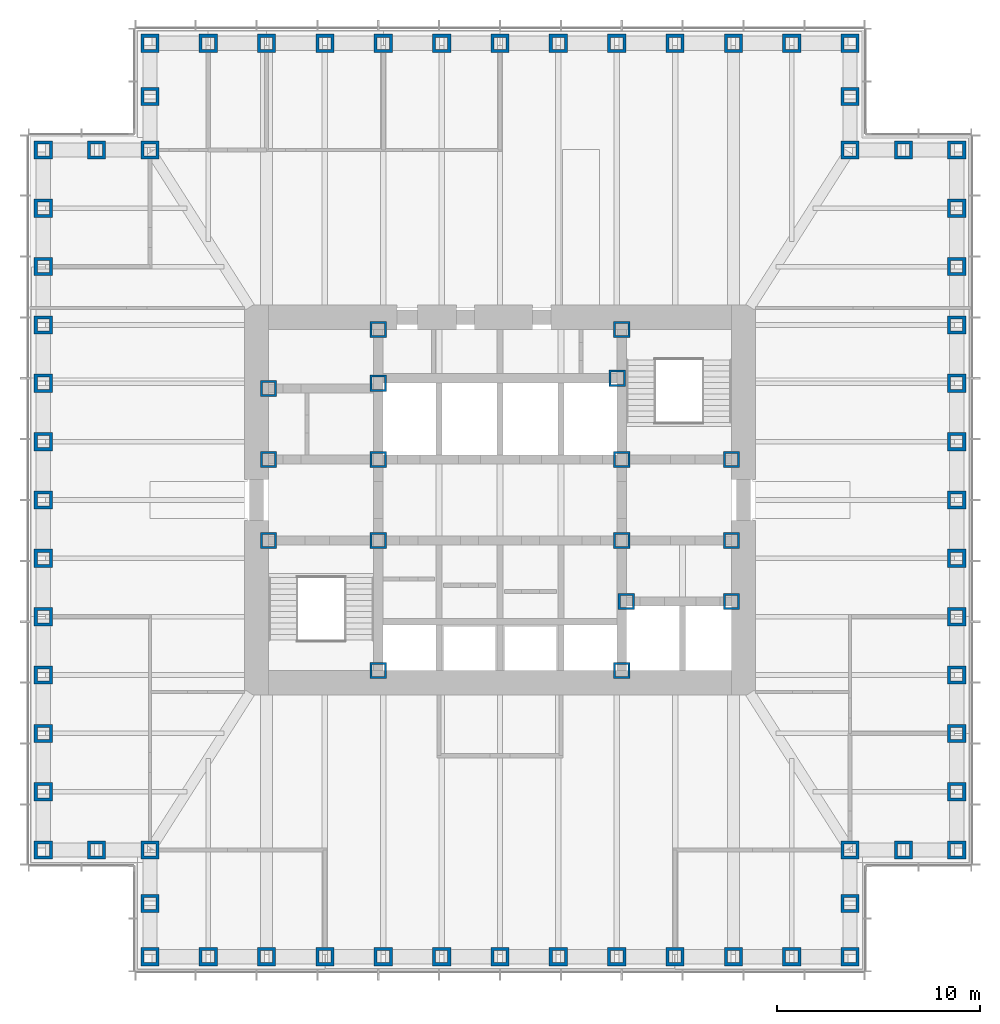
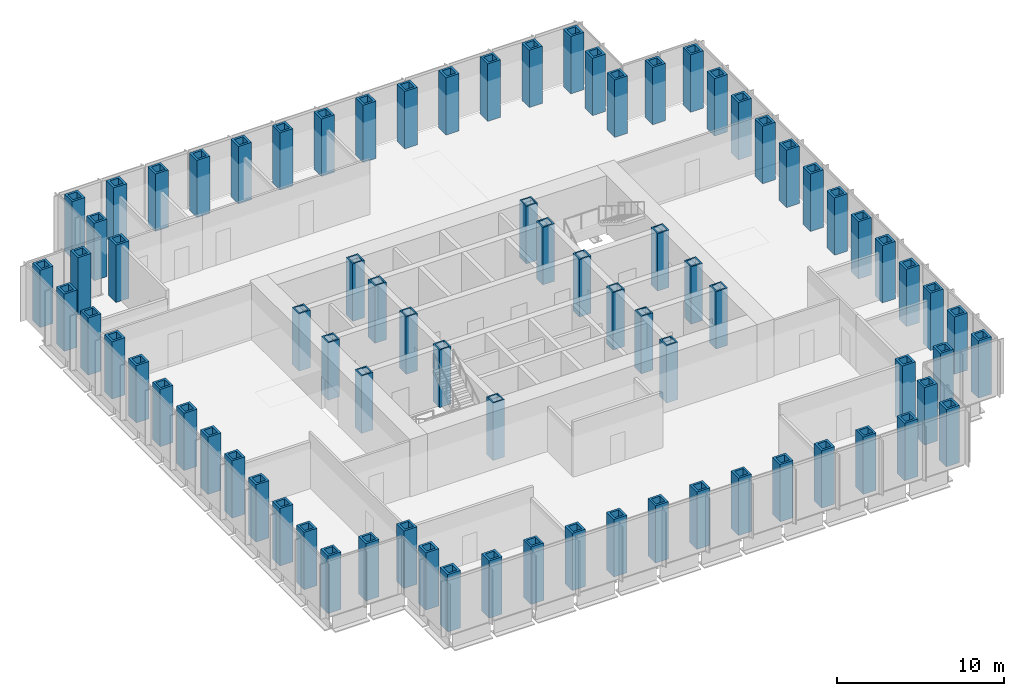
# One storey, part 1 of 16: 81 columns.
"""IFC4 building model written with IfcOpenShell, lengths in metres."""

from ifc_helpers import new_model, si_unit, direction, frame, origin, origin_2d, place, context, subcontext, project, spatial, hollow_rectangle, extrude, material, material_profile, profile_set, type_object, element, save


model = new_model("IFC4")

# Units and contexts
model_context = context("Model", 3, precision=1e-05, world=origin(), true_north=direction((0.0, 1.0)))
body_context = subcontext(model_context, "Body", "Model", "MODEL_VIEW")
ifc_project = project(units=[si_unit("LENGTHUNIT", "METRE"), si_unit("AREAUNIT", "SQUARE_METRE"), si_unit("VOLUMEUNIT", "CUBIC_METRE"), si_unit("PLANEANGLEUNIT", "RADIAN"), si_unit("MASSUNIT", "GRAM", prefix="KILO")], contexts=[model_context])

# Site, building, storey
site_placement = place(None, origin())
site = spatial("IfcSite", under=ifc_project, at=site_placement, CompositionType="ELEMENT")
building_placement = place(site_placement, origin())
building = spatial("IfcBuilding", under=site, at=building_placement, Name="Daluyong Arena Tower", CompositionType="ELEMENT")
storey_placement = place(building_placement, frame((0.0, 0.0, 133.300048828125)))
storey = spatial("IfcBuildingStorey", under=building, at=storey_placement, Name="L29", CompositionType="ELEMENT", Elevation=133.300048828125)

# Columns
ifc_material_1 = material(Name="Steel ASTM A572 Grade 50", Category="steel")
ifc_material_profile_1 = material_profile(ifc_material_1, hollow_rectangle(XDim=0.800048828125, YDim=0.800048828125, WallThickness=0.1, at=origin_2d()))
ifc_profile_set_1 = profile_set([ifc_material_profile_1], Name="Steel ASTM A572 Grade 50")
column_type_1 = type_object("IfcColumnType", Name="Core boundary column BX800X100", PredefinedType="COLUMN", material=ifc_profile_set_1)
for number, where, z_axis, x_axis, name in (
    (1, (44.60009765625, 78.0, 0.0), (0.0, 0.0, 1.0), (1.0, 0.0, 0.0), "core boundary column BC2"),
    (2, (44.60009765625, 82.0, 0.0), (0.0, 0.0, 1.0), (1.0, 0.0, 0.0), "core boundary column BC2"),
    (3, (44.60009765625, 85.5, 0.0), (0.0, 0.0, 1.0), (1.0, 0.0, 0.0), "core boundary column BC2"),
    (4, (50.0, 71.60009765625, 0.0), (0.0, 0.0, 1.0), (1.0, 0.0, 0.0), "core boundary column BC2"),
    (5, (50.0, 78.0, 0.0), (0.0, 0.0, 1.0), (1.0, 0.0, 0.0), "core boundary column BC2"),
    (6, (50.0, 82.0, 0.0), (0.0, 0.0, 1.0), (1.0, 0.0, 0.0), "core boundary column BC2"),
    (7, (50.0, 85.75, 0.0), (0.0, 0.0, 1.0), (1.0, 0.0, 0.0), "core boundary column BC2"),
    (8, (50.0, 88.39990234375, 0.0), (0.0, 0.0, 1.0), (1.0, 0.0, 0.0), "core boundary column BC2"),
    (9, (61.77490234375, 86.0, 0.0), (0.0, 0.0, 1.0), (1.0, 0.0, 0.0), "core boundary column BC2"),
    (10, (62.0, 71.60009765625, 0.0), (0.0, 0.0, 1.0), (1.0, 0.0, 0.0), "core boundary column BC2"),
    (11, (62.0, 78.0, 0.0), (0.0, 0.0, 1.0), (1.0, 0.0, 0.0), "core boundary column BC2"),
    (12, (62.0, 82.0, 0.0), (0.0, 0.0, 1.0), (1.0, 0.0, 0.0), "core boundary column BC2"),
    (13, (62.0, 88.39990234375, 0.0), (0.0, 0.0, 1.0), (1.0, 0.0, 0.0), "core boundary column BC2"),
    (14, (62.22509765625, 75.0, 0.0), (0.0, 0.0, 1.0), (1.0, 0.0, 0.0), "core boundary column BC2"),
    (15, (67.39990234375, 75.0, 0.0), (0.0, 0.0, 1.0), (1.0, 0.0, 0.0), "core boundary column BC2"),
    (16, (67.39990234375, 78.0, 0.0), (0.0, 0.0, 1.0), (1.0, 0.0, 0.0), "core boundary column BC2"),
    (17, (67.39990234375, 82.0, 0.0), (0.0, 0.0, 1.0), (1.0, 0.0, 0.0), "core boundary column BC2"),
):
    element("IfcColumn", number, at=place(storey_placement, frame(where, z_axis=z_axis, x_axis=x_axis)), inside=storey, type_object=column_type_1, Name=name, PredefinedType="COLUMN", context=body_context, shape_type="SweptSolid", body=[
        extrude(hollow_rectangle(XDim=0.800048828125, YDim=0.800048828125, WallThickness=0.1, at=origin_2d()), origin(), (0.0, 0.0, 1.0), 4.199951171875),
    ])
ifc_material_2 = material(Name="Steel ASTM A588 Grade 50", Category="steel")
ifc_material_profile_2 = material_profile(ifc_material_2, hollow_rectangle(XDim=0.89990234375, YDim=0.89990234375, WallThickness=0.15, at=origin_2d()))
ifc_profile_set_2 = profile_set([ifc_material_profile_2], Name="Steel ASTM A588 Grade 50")
column_type_2 = type_object("IfcColumnType", Name="Tube column BX900X150 BX900X150", PredefinedType="COLUMN", material=ifc_profile_set_2)
for number, where, z_axis, x_axis, name in (
    (18, (38.75, 57.5, 0.0), (0.0, 0.0, 1.0), (1.0, 0.0, 0.0), "tube column bx900x150 TC5"),
    (19, (41.625, 57.5, 0.0), (0.0, 0.0, 1.0), (1.0, 0.0, 0.0), "tube column bx900x150 TC5"),
    (20, (44.5, 57.5, 0.0), (0.0, 0.0, 1.0), (1.0, 0.0, 0.0), "tube column bx900x150 TC5"),
    (21, (47.375, 57.5, 0.0), (0.0, 0.0, 1.0), (1.0, 0.0, 0.0), "tube column bx900x150 TC5"),
    (22, (50.25, 57.5, 0.0), (0.0, 0.0, 1.0), (1.0, 0.0, 0.0), "tube column bx900x150 TC5"),
    (23, (53.125, 57.5, 0.0), (0.0, 0.0, 1.0), (1.0, 0.0, 0.0), "tube column bx900x150 TC5"),
    (24, (56.0, 57.5, 0.0), (0.0, 0.0, 1.0), (1.0, 0.0, 0.0), "tube column bx900x150 TC5"),
    (25, (58.875, 57.5, 0.0), (0.0, 0.0, 1.0), (1.0, 0.0, 0.0), "tube column bx900x150 TC5"),
    (26, (61.75, 57.5, 0.0), (0.0, 0.0, 1.0), (1.0, 0.0, 0.0), "tube column bx900x150 TC5"),
    (27, (64.625, 57.5, 0.0), (0.0, 0.0, 1.0), (1.0, 0.0, 0.0), "tube column bx900x150 TC5"),
    (28, (67.5, 57.5, 0.0), (0.0, 0.0, 1.0), (1.0, 0.0, 0.0), "tube column bx900x150 TC5"),
    (29, (70.375, 57.5, 0.0), (0.0, 0.0, 1.0), (1.0, 0.0, 0.0), "tube column bx900x150 TC5"),
    (30, (73.25, 57.5, 0.0), (0.0, 0.0, 1.0), (0.0, 1.0, 0.0), "tube column bx900x150 TC5"),
    (31, (73.25, 60.125, 0.0), (0.0, 0.0, 1.0), (0.0, 1.0, 0.0), "tube column bx900x150 TC5"),
    (32, (73.25, 62.75, 0.0), (0.0, 0.0, 1.0), (1.0, 0.0, 0.0), "tube column bx900x150 TC5"),
    (33, (75.875, 62.75, 0.0), (0.0, 0.0, 1.0), (1.0, 0.0, 0.0), "tube column bx900x150 TC5"),
    (34, (78.5, 62.75, 0.0), (0.0, 0.0, 1.0), (0.0, 1.0, 0.0), "tube column bx900x150 TC5"),
    (35, (78.5, 65.625, 0.0), (0.0, 0.0, 1.0), (0.0, 1.0, 0.0), "tube column bx900x150 TC5"),
    (36, (78.5, 68.5, 0.0), (0.0, 0.0, 1.0), (0.0, 1.0, 0.0), "tube column bx900x150 TC5"),
    (37, (78.5, 71.375, 0.0), (0.0, 0.0, 1.0), (0.0, 1.0, 0.0), "tube column bx900x150 TC5"),
    (38, (78.5, 74.25, 0.0), (0.0, 0.0, 1.0), (0.0, 1.0, 0.0), "tube column bx900x150 TC5"),
    (39, (78.5, 77.125, 0.0), (0.0, 0.0, 1.0), (0.0, 1.0, 0.0), "tube column bx900x150 TC5"),
    (40, (78.5, 80.0, 0.0), (0.0, 0.0, 1.0), (0.0, 1.0, 0.0), "tube column bx900x150 TC5"),
    (41, (78.5, 82.875, 0.0), (0.0, 0.0, 1.0), (0.0, 1.0, 0.0), "tube column bx900x150 TC5"),
    (42, (78.5, 85.75, 0.0), (0.0, 0.0, 1.0), (0.0, 1.0, 0.0), "tube column bx900x150 TC5"),
    (43, (78.5, 88.625, 0.0), (0.0, 0.0, 1.0), (0.0, 1.0, 0.0), "tube column bx900x150 TC5"),
    (44, (78.5, 91.5, 0.0), (0.0, 0.0, 1.0), (0.0, 1.0, 0.0), "tube column bx900x150 TC5"),
    (45, (78.5, 94.375, 0.0), (0.0, 0.0, 1.0), (0.0, 1.0, 0.0), "tube column bx900x150 TC5"),
    (46, (78.5, 97.25, 0.0), (0.0, 0.0, 1.0), (1.0, 0.0, 0.0), "tube column bx900x150 TC5"),
    (47, (75.875, 97.25, 0.0), (0.0, 0.0, 1.0), (1.0, 0.0, 0.0), "tube column bx900x150 TC5"),
    (48, (73.25, 97.25, 0.0), (0.0, 0.0, 1.0), (0.0, 1.0, 0.0), "tube column bx900x150 TC5"),
    (49, (73.25, 99.875, 0.0), (0.0, 0.0, 1.0), (0.0, 1.0, 0.0), "tube column bx900x150 TC5"),
    (50, (73.25, 102.5, 0.0), (0.0, 0.0, 1.0), (1.0, 0.0, 0.0), "tube column bx900x150 TC5"),
    (51, (70.375, 102.5, 0.0), (0.0, 0.0, 1.0), (1.0, 0.0, 0.0), "tube column bx900x150 TC5"),
    (52, (67.5, 102.5, 0.0), (0.0, 0.0, 1.0), (1.0, 0.0, 0.0), "tube column bx900x150 TC5"),
    (53, (64.625, 102.5, 0.0), (0.0, 0.0, 1.0), (1.0, 0.0, 0.0), "tube column bx900x150 TC5"),
    (54, (61.75, 102.5, 0.0), (0.0, 0.0, 1.0), (1.0, 0.0, 0.0), "tube column bx900x150 TC5"),
    (55, (58.875, 102.5, 0.0), (0.0, 0.0, 1.0), (1.0, 0.0, 0.0), "tube column bx900x150 TC5"),
    (56, (56.0, 102.5, 0.0), (0.0, 0.0, 1.0), (1.0, 0.0, 0.0), "tube column bx900x150 TC5"),
    (57, (53.125, 102.5, 0.0), (0.0, 0.0, 1.0), (1.0, 0.0, 0.0), "tube column bx900x150 TC5"),
    (58, (50.25, 102.5, 0.0), (0.0, 0.0, 1.0), (1.0, 0.0, 0.0), "tube column bx900x150 TC5"),
    (59, (47.375, 102.5, 0.0), (0.0, 0.0, 1.0), (1.0, 0.0, 0.0), "tube column bx900x150 TC5"),
    (60, (44.5, 102.5, 0.0), (0.0, 0.0, 1.0), (1.0, 0.0, 0.0), "tube column bx900x150 TC5"),
    (61, (41.625, 102.5, 0.0), (0.0, 0.0, 1.0), (1.0, 0.0, 0.0), "tube column bx900x150 TC5"),
    (62, (38.75, 102.5, 0.0), (0.0, 0.0, 1.0), (0.0, 1.0, 0.0), "tube column bx900x150 TC5"),
    (63, (38.75, 99.875, 0.0), (0.0, 0.0, 1.0), (0.0, 1.0, 0.0), "tube column bx900x150 TC5"),
    (64, (38.75, 97.25, 0.0), (0.0, 0.0, 1.0), (1.0, 0.0, 0.0), "tube column bx900x150 TC5"),
    (65, (36.125, 97.25, 0.0), (0.0, 0.0, 1.0), (1.0, 0.0, 0.0), "tube column bx900x150 TC5"),
    (66, (33.5, 97.25, 0.0), (0.0, 0.0, 1.0), (0.0, 1.0, 0.0), "tube column bx900x150 TC5"),
    (67, (33.5, 94.375, 0.0), (0.0, 0.0, 1.0), (0.0, 1.0, 0.0), "tube column bx900x150 TC5"),
    (68, (33.5, 91.5, 0.0), (0.0, 0.0, 1.0), (0.0, 1.0, 0.0), "tube column bx900x150 TC5"),
    (69, (33.5, 88.625, 0.0), (0.0, 0.0, 1.0), (0.0, 1.0, 0.0), "tube column bx900x150 TC5"),
    (70, (33.5, 85.75, 0.0), (0.0, 0.0, 1.0), (0.0, 1.0, 0.0), "tube column bx900x150 TC5"),
    (71, (33.5, 82.875, 0.0), (0.0, 0.0, 1.0), (0.0, 1.0, 0.0), "tube column bx900x150 TC5"),
    (72, (33.5, 80.0, 0.0), (0.0, 0.0, 1.0), (0.0, 1.0, 0.0), "tube column bx900x150 TC5"),
    (73, (33.5, 77.125, 0.0), (0.0, 0.0, 1.0), (0.0, 1.0, 0.0), "tube column bx900x150 TC5"),
    (74, (33.5, 74.25, 0.0), (0.0, 0.0, 1.0), (0.0, 1.0, 0.0), "tube column bx900x150 TC5"),
    (75, (33.5, 71.375, 0.0), (0.0, 0.0, 1.0), (0.0, 1.0, 0.0), "tube column bx900x150 TC5"),
    (76, (33.5, 68.5, 0.0), (0.0, 0.0, 1.0), (0.0, 1.0, 0.0), "tube column bx900x150 TC5"),
    (77, (33.5, 65.625, 0.0), (0.0, 0.0, 1.0), (0.0, 1.0, 0.0), "tube column bx900x150 TC5"),
    (78, (33.5, 62.75, 0.0), (0.0, 0.0, 1.0), (1.0, 0.0, 0.0), "tube column bx900x150 TC5"),
    (79, (36.125, 62.75, 0.0), (0.0, 0.0, 1.0), (1.0, 0.0, 0.0), "tube column bx900x150 TC5"),
    (80, (38.75, 62.75, 0.0), (0.0, 0.0, 1.0), (0.0, 1.0, 0.0), "tube column bx900x150 TC5"),
    (81, (38.75, 60.125, 0.0), (0.0, 0.0, 1.0), (0.0, 1.0, 0.0), "tube column bx900x150 TC5"),
):
    element("IfcColumn", number, at=place(storey_placement, frame(where, z_axis=z_axis, x_axis=x_axis)), inside=storey, type_object=column_type_2, Name=name, PredefinedType="COLUMN", context=body_context, shape_type="SweptSolid", body=[
        extrude(hollow_rectangle(XDim=0.89990234375, YDim=0.89990234375, WallThickness=0.15, at=origin_2d()), origin(), (0.0, 0.0, 1.0), 4.199951171875),
    ])

save(model, "model.ifc")
